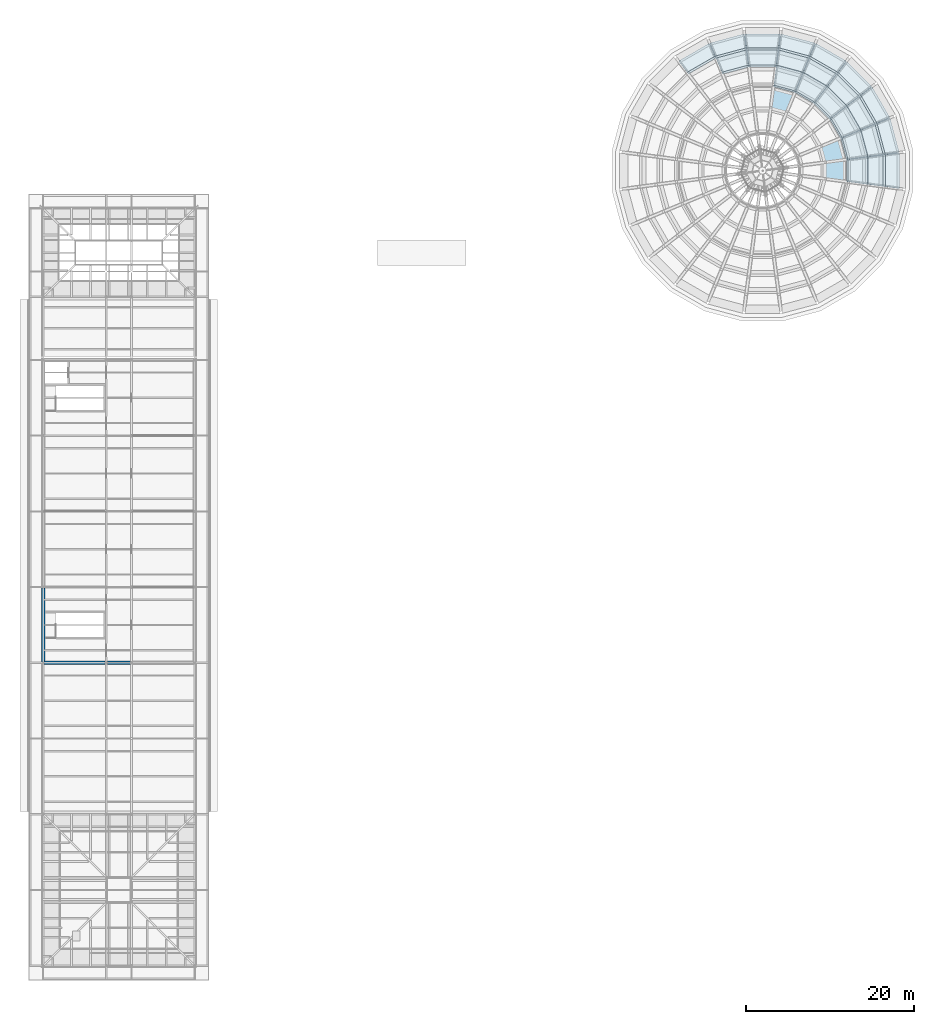
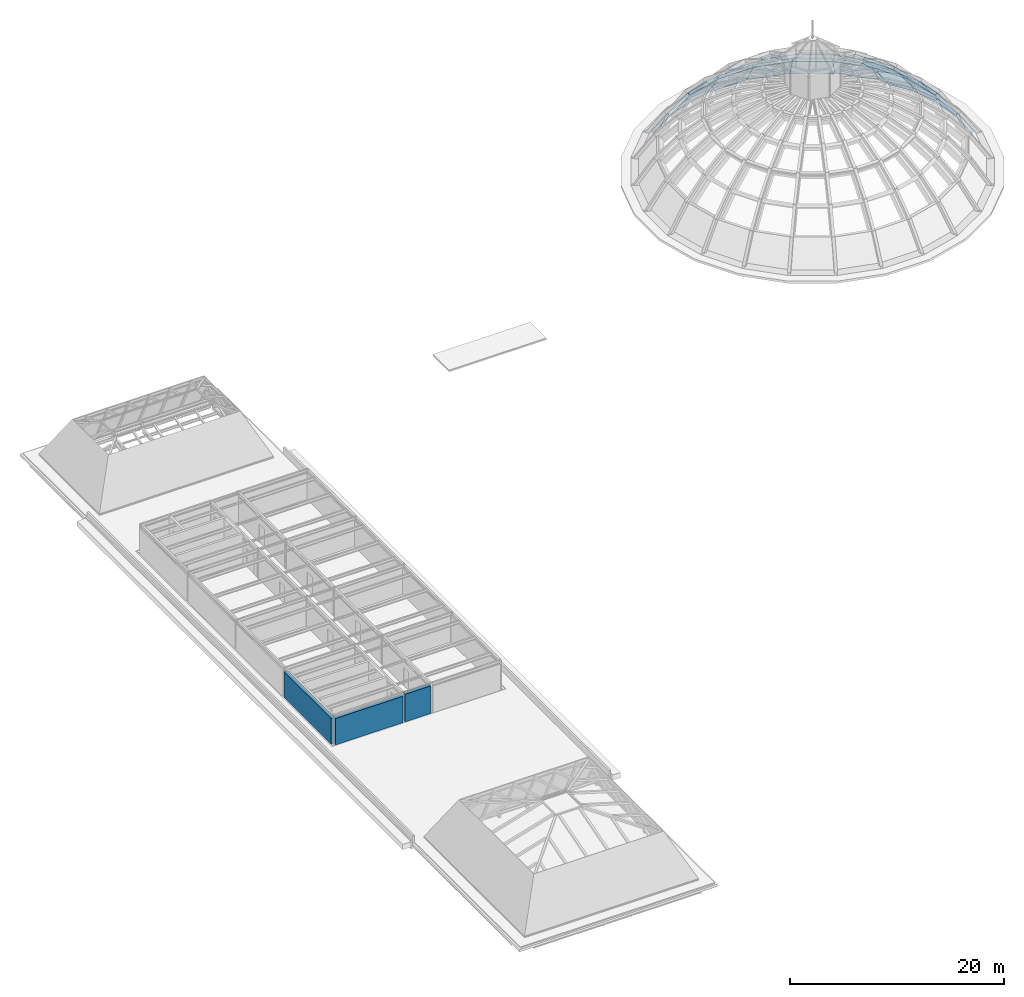
# One storey, part 20 of 29: 26 slabs, 3 walls.
"""IFC4 building model written with IfcOpenShell, lengths in metres."""

from ifc_helpers import new_model, si_unit, direction, frame, frame_2d, origin, place, context, subcontext, project, spatial, polyline, rectangle, outline, extrude, material, layer, layer_set, type_object, element, save


model = new_model("IFC4")

# Units and contexts
model_context = context("Model", 3, precision=1e-05, world=origin(), true_north=direction((0.0, 1.0)))
body_context = subcontext(model_context, "Body", "Model", "MODEL_VIEW")
ifc_project = project(units=[si_unit("LENGTHUNIT", "METRE"), si_unit("AREAUNIT", "SQUARE_METRE"), si_unit("VOLUMEUNIT", "CUBIC_METRE"), si_unit("PLANEANGLEUNIT", "RADIAN"), si_unit("MASSUNIT", "GRAM", prefix="KILO")], contexts=[model_context])

# Site, building, storey
site_placement = place(None, origin())
site = spatial("IfcSite", under=ifc_project, at=site_placement, CompositionType="ELEMENT")
building_placement = place(site_placement, origin())
building = spatial("IfcBuilding", under=site, at=building_placement, Name="Golden Quay Civic Hall", CompositionType="ELEMENT")
storey_placement = place(building_placement, frame((0.0, 0.0, 27.0)))
storey = spatial("IfcBuildingStorey", under=building, at=storey_placement, Name="L06", CompositionType="ELEMENT", Elevation=27.0)

# Slabs
ifc_material_1 = material(Name="Concrete C40/50", Category="concrete")
ifc_layer_1 = layer(ifc_material_1, 0.300048828125)
ifc_layer_set_1 = layer_set([ifc_layer_1], Name="Dome shell D1 300")
slab_type = type_object("IfcSlabType", Name="Dome shell D1 300", PredefinedType="ROOF", material=ifc_layer_set_1)
slab_1_placement = place(storey_placement, frame((101.75146484375, 87.672607421875, 0.1455078125), z_axis=(0.805748318643, 0.215904161913, 0.551502529344), x_axis=(-0.258824943154, 0.965924245891, 1.265612e-06)))
element("IfcSlab", 1, at=slab_1_placement, inside=storey, type_object=slab_type, Name="Dome shell panel 1.1", PredefinedType="ROOF", context=body_context, shape_type="SweptSolid", body=[
    extrude(outline(polyline([(0.0, 0.0), (4.215423155254426, 0.0), (3.9961423585196107, 3.0195092718009127), (0.2192524467190818, 3.0195213977804), (0.0, 0.0)])), origin(), (0.0, 0.0, -1.0), 0.300048828125),
])
slab_2_placement = place(storey_placement, frame((100.635498046875, 91.8046875, 0.1455078125), z_axis=(0.722422993854, 0.417079452697, 0.551497731717), x_axis=(-0.499991140247, 0.8660305189, 2.831556e-06)))
element("IfcSlab", 2, at=slab_2_placement, inside=storey, type_object=slab_type, Name="Dome shell panel 1.2", PredefinedType="ROOF", context=body_context, shape_type="SweptSolid", body=[
    extrude(outline(polyline([(0.0, 0.0), (4.215375454801392, 0.0), (3.9961481704944073, 3.019490288738637), (0.21916858991947044, 3.019517418251832), (0.0, 0.0)])), origin(), (0.0, 0.0, -1.0), 0.300048828125),
])
slab_3_placement = place(storey_placement, frame((98.488037109375, 95.507080078125, 0.1455078125), z_axis=(0.589854677519, 0.589854677519, 0.551491540114), x_axis=(-0.707106781187, 0.707106781187, 0.0)))
element("IfcSlab", 3, at=slab_3_placement, inside=storey, type_object=slab_type, Name="Dome shell panel 1.3", PredefinedType="ROOF", context=body_context, shape_type="SweptSolid", body=[
    extrude(outline(polyline([(0.0, 0.0), (4.2157098624451885, 0.0), (3.9964653282393985, 3.0194890363538103), (0.21924453420578993, 3.01948903635381), (0.0, 0.0)])), origin(), (0.0, 0.0, -1.0), 0.300048828125),
])
slab_4_placement = place(storey_placement, frame((95.455322265625, 98.52783203125, 0.1455078125), z_axis=(0.417079452697, 0.722422993854, 0.551497731717), x_axis=(-0.8660305189, 0.499991140247, -2.831556e-06)))
element("IfcSlab", 4, at=slab_4_placement, inside=storey, type_object=slab_type, Name="Dome shell panel 1.4", PredefinedType="ROOF", context=body_context, shape_type="SweptSolid", body=[
    extrude(outline(polyline([(0.0, 0.0), (4.215375454801392, 0.0), (3.9962068648819216, 3.019517418251832), (0.21922728430698488, 3.019490288738637), (0.0, 0.0)])), origin(), (0.0, 0.0, -1.0), 0.300048828125),
])
slab_5_placement = place(storey_placement, frame((91.744384765625, 100.660400390625, 0.1455078125), z_axis=(0.215904161913, 0.805748318643, 0.551502529344), x_axis=(-0.965924245891, 0.258824943154, -1.265612e-06)))
element("IfcSlab", 5, at=slab_5_placement, inside=storey, type_object=slab_type, Name="Dome shell panel 1.5", PredefinedType="ROOF", context=body_context, shape_type="SweptSolid", body=[
    extrude(outline(polyline([(0.0, 0.0), (4.215423155254426, 0.0), (3.996170708535344, 3.0195213977804), (0.21928079673481532, 3.0195092718009127), (0.0, 0.0)])), origin(), (0.0, 0.0, -1.0), 0.300048828125),
])
slab_6_placement = place(storey_placement, frame((87.607666015625, 101.760009765625, 0.1455078125), z_axis=(0.0, 0.83417126038, 0.55150549259), x_axis=(-1.0, 0.0, 0.0)))
element("IfcSlab", 6, at=slab_6_placement, inside=storey, type_object=slab_type, Name="Dome shell panel 1.6", PredefinedType="ROOF", context=body_context, shape_type="SweptSolid", body=[
    extrude(outline(polyline([(0.0, 0.0), (4.21533203125, 0.0), (3.99609375, 3.019522426340651), (0.21923828125, 3.019522426340651), (0.0, 0.0)])), origin(), (0.0, 0.0, -1.0), 0.300048828125),
])
slab_7_placement = place(storey_placement, frame((83.327392578125, 101.75146484375, 0.1455078125), z_axis=(-0.215904161913, 0.805748318643, 0.551502529344), x_axis=(-0.965924245891, -0.258824943154, 1.265612e-06)))
element("IfcSlab", 7, at=slab_7_placement, inside=storey, type_object=slab_type, Name="Dome shell panel 1.7", PredefinedType="ROOF", context=body_context, shape_type="SweptSolid", body=[
    extrude(outline(polyline([(0.0, 0.0), (4.215423155254426, 0.0), (3.9961423585196107, 3.0195092718009127), (0.2192524467190818, 3.0195213977804), (0.0, 0.0)])), origin(), (0.0, 0.0, -1.0), 0.300048828125),
])
slab_8_placement = place(storey_placement, frame((79.1953125, 100.635498046875, 0.1455078125), z_axis=(-0.417079452697, 0.722422993854, 0.551497731717), x_axis=(-0.8660305189, -0.499991140247, 2.831556e-06)))
element("IfcSlab", 8, at=slab_8_placement, inside=storey, type_object=slab_type, Name="Dome shell panel 1.8", PredefinedType="ROOF", context=body_context, shape_type="SweptSolid", body=[
    extrude(outline(polyline([(0.0, 0.0), (4.215375454801392, 0.0), (3.9961481704944073, 3.019490288738637), (0.21916858991947044, 3.019517418251832), (0.0, 0.0)])), origin(), (0.0, 0.0, -1.0), 0.300048828125),
])
slab_9_placement = place(storey_placement, frame((101.760009765625, 83.392333984375, 0.1455078125), z_axis=(0.83417126038, 0.0, 0.55150549259), x_axis=(0.0, 1.0, 0.0)))
element("IfcSlab", 9, at=slab_9_placement, inside=storey, type_object=slab_type, Name="Dome shell panel 1.24", PredefinedType="ROOF", context=body_context, shape_type="SweptSolid", body=[
    extrude(outline(polyline([(0.0, 0.0), (4.21533203125, 0.0), (3.99609375, 3.019522426340651), (0.21923828125, 3.019522426340651), (0.0, 0.0)])), origin(), (0.0, 0.0, -1.0), 0.300048828125),
])
slab_10_placement = place(storey_placement, frame((100.05712890625, 87.445556640625, 2.70263671875), z_axis=(0.708873973093, 0.189943508599, 0.679278406703), x_axis=(-0.258820915268, 0.965925325178, 2.43224e-07)))
element("IfcSlab", 10, at=slab_10_placement, inside=storey, type_object=slab_type, Name="Dome shell panel 2.1", PredefinedType="ROOF", context=body_context, shape_type="SweptSolid", body=[
    extrude(outline(polyline([(0.0, 0.0), (3.7768899118321406, -1.1102230246251565e-16), (3.509396605947967, 2.9907087593540034), (0.26733321927039466, 2.9907110855875847), (0.0, 0.0)])), origin(), (0.0, 0.0, -1.0), 0.300048828125),
])
slab_11_placement = place(storey_placement, frame((99.0576171875, 91.14697265625, 2.70263671875), z_axis=(0.635572942013, 0.366940814897, 0.679265392717), x_axis=(-0.500001263933, 0.866024673981, 1.1004147e-05)))
element("IfcSlab", 11, at=slab_11_placement, inside=storey, type_object=slab_type, Name="Dome shell panel 2.2", PredefinedType="ROOF", context=body_context, shape_type="SweptSolid", body=[
    extrude(outline(polyline([(0.0, 0.0), (3.7767681479122106, 2.220446049250313e-16), (3.50933340259419, 2.9906082160524408), (0.2674407897925698, 2.990713455378682), (0.0, 0.0)])), origin(), (0.0, 0.0, -1.0), 0.300048828125),
])
slab_12_placement = place(storey_placement, frame((97.13427734375, 94.46337890625, 2.70263671875), z_axis=(0.518928907618, 0.518928907618, 0.679283135133), x_axis=(-0.707106781187, 0.707106781187, 0.0)))
element("IfcSlab", 12, at=slab_12_placement, inside=storey, type_object=slab_type, Name="Dome shell panel 2.3", PredefinedType="ROOF", context=body_context, shape_type="SweptSolid", body=[
    extrude(outline(polyline([(0.0, 0.0), (3.7772207940336084, 0.0), (3.5096388822076445, 2.9907277582864644), (0.267581911825964, 2.9907277582864644), (0.0, 0.0)])), origin(), (0.0, 0.0, -1.0), 0.300048828125),
])
slab_13_placement = place(storey_placement, frame((94.417724609375, 97.169189453125, 2.70263671875), z_axis=(0.366940814897, 0.635572942013, 0.679265392717), x_axis=(-0.866024673981, 0.500001263933, -1.1004147e-05)))
element("IfcSlab", 13, at=slab_13_placement, inside=storey, type_object=slab_type, Name="Dome shell panel 2.4", PredefinedType="ROOF", context=body_context, shape_type="SweptSolid", body=[
    extrude(outline(polyline([(0.0, 0.0), (3.7767681479122106, -2.220446049250313e-16), (3.509327358119641, 2.9907134553786814), (0.2674347453180206, 2.9906082160524408), (0.0, 0.0)])), origin(), (0.0, 0.0, -1.0), 0.300048828125),
])
slab_14_placement = place(storey_placement, frame((91.09375, 99.07958984375, 2.70263671875), z_axis=(0.189943508599, 0.708873973093, 0.679278406703), x_axis=(-0.965925325178, 0.258820915268, -2.43224e-07)))
element("IfcSlab", 14, at=slab_14_placement, inside=storey, type_object=slab_type, Name="Dome shell panel 2.5", PredefinedType="ROOF", context=body_context, shape_type="SweptSolid", body=[
    extrude(outline(polyline([(0.0, 0.0), (3.7768899118321406, 1.1102230246251565e-16), (3.5095566925617465, 2.9907110855875847), (0.2674933058841736, 2.9907087593540034), (0.0, 0.0)])), origin(), (0.0, 0.0, -1.0), 0.300048828125),
])
slab_15_placement = place(storey_placement, frame((87.388427734375, 100.064697265625, 2.70263671875), z_axis=(0.0, 0.733885764718, 0.67927290859), x_axis=(-1.0, 0.0, 0.0)))
element("IfcSlab", 15, at=slab_15_placement, inside=storey, type_object=slab_type, Name="Dome shell panel 2.6", PredefinedType="ROOF", context=body_context, shape_type="SweptSolid", body=[
    extrude(outline(polyline([(0.0, 0.0), (3.77685546875, 0.0), (3.509521484375, 2.990689183884754), (0.267333984375, 2.990689183884754), (0.0, 0.0)])), origin(), (0.0, 0.0, -1.0), 0.300048828125),
])
slab_16_placement = place(storey_placement, frame((83.554443359375, 100.05712890625, 2.70263671875), z_axis=(-0.189943508599, 0.708873973093, 0.679278406703), x_axis=(-0.965925325178, -0.258820915268, 2.43224e-07)))
element("IfcSlab", 16, at=slab_16_placement, inside=storey, type_object=slab_type, Name="Dome shell panel 2.7", PredefinedType="ROOF", context=body_context, shape_type="SweptSolid", body=[
    extrude(outline(polyline([(0.0, 0.0), (3.7768899118321406, -1.1102230246251565e-16), (3.509396605947967, 2.9907087593540034), (0.26733321927039466, 2.9907110855875847), (0.0, 0.0)])), origin(), (0.0, 0.0, -1.0), 0.300048828125),
])
slab_17_placement = place(storey_placement, frame((100.064697265625, 83.611572265625, 2.70263671875), z_axis=(0.733885764718, 0.0, 0.67927290859), x_axis=(0.0, 1.0, 0.0)))
element("IfcSlab", 17, at=slab_17_placement, inside=storey, type_object=slab_type, Name="Dome shell panel 2.24", PredefinedType="ROOF", context=body_context, shape_type="SweptSolid", body=[
    extrude(outline(polyline([(0.0, 0.0), (3.77685546875, 0.0), (3.509521484375, 2.990689183884754), (0.267333984375, 2.990689183884754), (0.0, 0.0)])), origin(), (0.0, 0.0, -1.0), 0.300048828125),
])
slab_18_placement = place(storey_placement, frame((97.990966796875, 87.168701171875, 4.9306640625), z_axis=(0.593010232997, 0.158899543422, 0.789360373126), x_axis=(-0.258821411337, 0.965925192254, -1.680586e-06)))
element("IfcSlab", 18, at=slab_18_placement, inside=storey, type_object=slab_type, Name="Dome shell panel 3.1", PredefinedType="ROOF", context=body_context, shape_type="SweptSolid", body=[
    extrude(outline(polyline([(0.0, 0.0), (3.2420633866713415, 0.0), (2.9317262886442834, 2.9864978747920743), (0.3104189470987425, 2.986481824274189), (0.0, 0.0)])), origin(), (0.0, 0.0, -1.0), 0.300048828125),
])
slab_19_placement = place(storey_placement, frame((97.133544921875, 90.3447265625, 4.9306640625), z_axis=(0.531698308636, 0.306953523563, 0.789351913259), x_axis=(-0.499985865601, 0.866033564045, 1.2142968e-05)))
element("IfcSlab", 19, at=slab_19_placement, inside=storey, type_object=slab_type, Name="Dome shell panel 3.2", PredefinedType="ROOF", context=body_context, shape_type="SweptSolid", body=[
    extrude(outline(polyline([(0.0, 0.0), (3.242226115153178, -2.220446049250313e-16), (2.931744911563131, 2.986378952568928), (0.3103654587807165, 2.9864949271855847), (0.0, 0.0)])), origin(), (0.0, 0.0, -1.0), 0.300048828125),
])
slab_20_placement = place(storey_placement, frame((95.483154296875, 93.190673828125, 4.9306640625), z_axis=(0.434106558437, 0.434106558437, 0.789368729963), x_axis=(-0.707106781187, 0.707106781187, 0.0)))
element("IfcSlab", 20, at=slab_20_placement, inside=storey, type_object=slab_type, Name="Dome shell panel 3.3", PredefinedType="ROOF", context=body_context, shape_type="SweptSolid", body=[
    extrude(outline(polyline([(0.0, 0.0), (3.2420569703816806, 0.0), (2.9316619526635623, 2.9865421196039708), (0.3103950177181183, 2.9865421196039708), (0.0, 0.0)])), origin(), (0.0, 0.0, -1.0), 0.300048828125),
])
slab_21_placement = place(storey_placement, frame((93.152587890625, 95.512451171875, 4.9306640625), z_axis=(0.306953523563, 0.531698308636, 0.789351913259), x_axis=(-0.866033564045, 0.499985865601, -1.2142968e-05)))
element("IfcSlab", 21, at=slab_21_placement, inside=storey, type_object=slab_type, Name="Dome shell panel 3.4", PredefinedType="ROOF", context=body_context, shape_type="SweptSolid", body=[
    extrude(outline(polyline([(0.0, 0.0), (3.242226115153178, 2.220446049250313e-16), (2.9318606563724616, 2.9864949271855847), (0.31048120359004744, 2.986378952568928), (0.0, 0.0)])), origin(), (0.0, 0.0, -1.0), 0.300048828125),
])
slab_22_placement = place(storey_placement, frame((90.30029296875, 97.15185546875, 4.9306640625), z_axis=(0.158899543422, 0.593010232997, 0.789360373126), x_axis=(-0.965925192254, 0.258821411337, 1.680586e-06)))
element("IfcSlab", 22, at=slab_22_placement, inside=storey, type_object=slab_type, Name="Dome shell panel 3.5", PredefinedType="ROOF", context=body_context, shape_type="SweptSolid", body=[
    extrude(outline(polyline([(0.0, 0.0), (3.2420633866713415, 0.0), (2.9316444395725987, 2.986481824274189), (0.31033709802705844, 2.9864978747920743), (0.0, 0.0)])), origin(), (0.0, 0.0, -1.0), 0.300048828125),
])
slab_23_placement = place(storey_placement, frame((97.997314453125, 83.87890625, 4.9306640625), z_axis=(0.613929294465, 0.0, 0.789361020952), x_axis=(0.0, 1.0, 0.0)))
element("IfcSlab", 23, at=slab_23_placement, inside=storey, type_object=slab_type, Name="Dome shell panel 3.24", PredefinedType="ROOF", context=body_context, shape_type="SweptSolid", body=[
    extrude(outline(polyline([(0.0, 0.0), (3.2421875, 0.0), (2.931884765625, 2.9864939013038394), (0.310302734375, 2.9864939013038394), (0.0, 0.0)])), origin(), (0.0, 0.0, -1.0), 0.300048828125),
])
slab_24_placement = place(storey_placement, frame((95.593994140625, 86.847900390625, 6.791015625), z_axis=(0.460997096722, 0.123541693642, 0.878759993824), x_axis=(-0.258833651384, 0.965921912361, -1.1456094e-05)))
element("IfcSlab", 24, at=slab_24_placement, inside=storey, type_object=slab_type, Name="Dome shell panel 4.1", PredefinedType="ROOF", context=body_context, shape_type="SweptSolid", body=[
    extrude(outline(polyline([(0.0, 0.0), (2.6213073413810166, 1.1102230246251565e-16), (2.276157395321928, 2.9823453767367107), (0.3448339943482454, 2.982236096818636), (0.0, 0.0)])), origin(), (0.0, 0.0, -1.0), 0.300048828125),
])
slab_25_placement = place(storey_placement, frame((89.3798828125, 94.91552734375, 6.791015625), z_axis=(0.123541693642, 0.460997096722, 0.878759993824), x_axis=(-0.965921912361, 0.258833651384, 1.1456094e-05)))
element("IfcSlab", 25, at=slab_25_placement, inside=storey, type_object=slab_type, Name="Dome shell panel 4.5", PredefinedType="ROOF", context=body_context, shape_type="SweptSolid", body=[
    extrude(outline(polyline([(0.0, 0.0), (2.6213073413810166, -1.1102230246251565e-16), (2.276473347032771, 2.9822360968186357), (0.3451499460590882, 2.9823453767367107), (0.0, 0.0)])), origin(), (0.0, 0.0, -1.0), 0.300048828125),
])
slab_26_placement = place(storey_placement, frame((95.598876953125, 84.189208984375, 6.791015625), z_axis=(0.47727974156, 0.0, 0.878751414392), x_axis=(0.0, 1.0, 0.0)))
element("IfcSlab", 26, at=slab_26_placement, inside=storey, type_object=slab_type, Name="Dome shell panel 4.24", PredefinedType="ROOF", context=body_context, shape_type="SweptSolid", body=[
    extrude(outline(polyline([(0.0, 0.0), (2.62158203125, 0.0), (2.276611328125, 2.9821920350052373), (0.344970703125, 2.9821920350052373), (0.0, 0.0)])), origin(), (0.0, 0.0, -1.0), 0.300048828125),
])

# Walls
ifc_material_2 = material(Name="Aluminium louvre panels on steel sub-frame", Category="steel")
ifc_layer_2 = layer(ifc_material_2, 0.39990234375)
ifc_layer_set_2 = layer_set([ifc_layer_2], Name="Louvred plant enclosure wall 400")
wall_type = type_object("IfcWallType", Name="Louvred plant enclosure wall 400", PredefinedType="STANDARD", material=ifc_layer_set_2)
wall_1_placement = place(storey_placement, frame((0.0, 27.094970703125, 0.0), z_axis=(0.0, 0.0, 1.0), x_axis=(0.0, 1.0, 0.0)))
element("IfcWall", 27, at=wall_1_placement, inside=storey, type_object=wall_type, Name="Louvred plant enclosure wall 400 L06 1", PredefinedType="STANDARD", context=body_context, shape_type="SweptSolid", body=[
    extrude(rectangle(XDim=8.81005859375, YDim=0.39990234375, at=frame_2d((4.405029296875, 0.0))), origin(), (0.0, 0.0, 1.0), 2.949951171875),
])
wall_2_placement = place(storey_placement, frame((7.3798828125, 27.0, 0.0), z_axis=(0.0, 0.0, 1.0), x_axis=(-1.0, 0.0, 0.0)))
element("IfcWall", 28, at=wall_2_placement, inside=storey, type_object=wall_type, Name="Louvred plant enclosure wall 400 L06 9", PredefinedType="STANDARD", context=body_context, shape_type="SweptSolid", body=[
    extrude(rectangle(XDim=7.27978515625, YDim=0.39990234375, at=frame_2d((3.639892578125, 0.0))), origin(), (0.0, 0.0, 1.0), 3.02001953125),
])
wall_3_placement = place(storey_placement, frame((10.3798828125, 27.0, 0.0), z_axis=(0.0, 0.0, 1.0), x_axis=(-1.0, 0.0, 0.0)))
element("IfcWall", 29, at=wall_3_placement, inside=storey, type_object=wall_type, Name="Louvred plant enclosure wall 400 L06 10", PredefinedType="STANDARD", context=body_context, shape_type="SweptSolid", body=[
    extrude(rectangle(XDim=2.759765625, YDim=0.39990234375, at=frame_2d((1.3798828125, 0.0))), origin(), (0.0, 0.0, 1.0), 3.14990234375),
])

save(model, "model.ifc")
